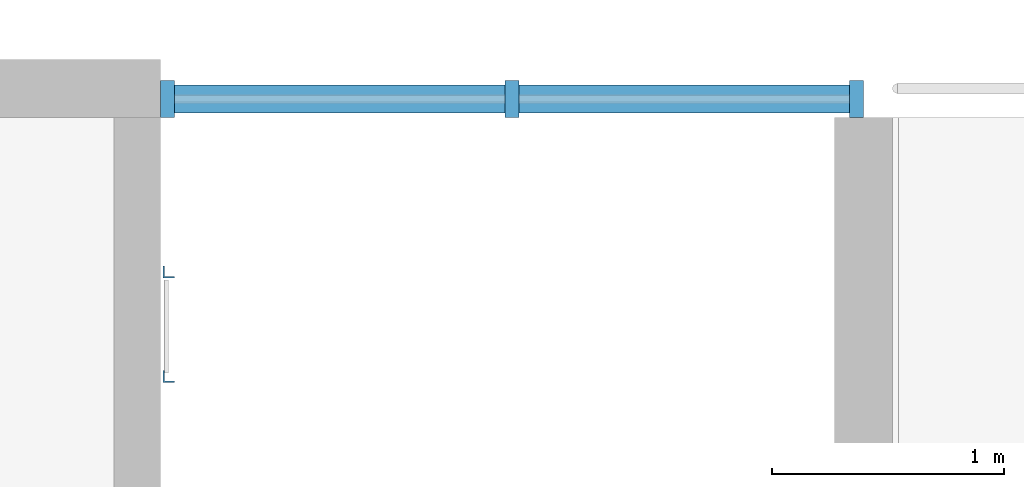
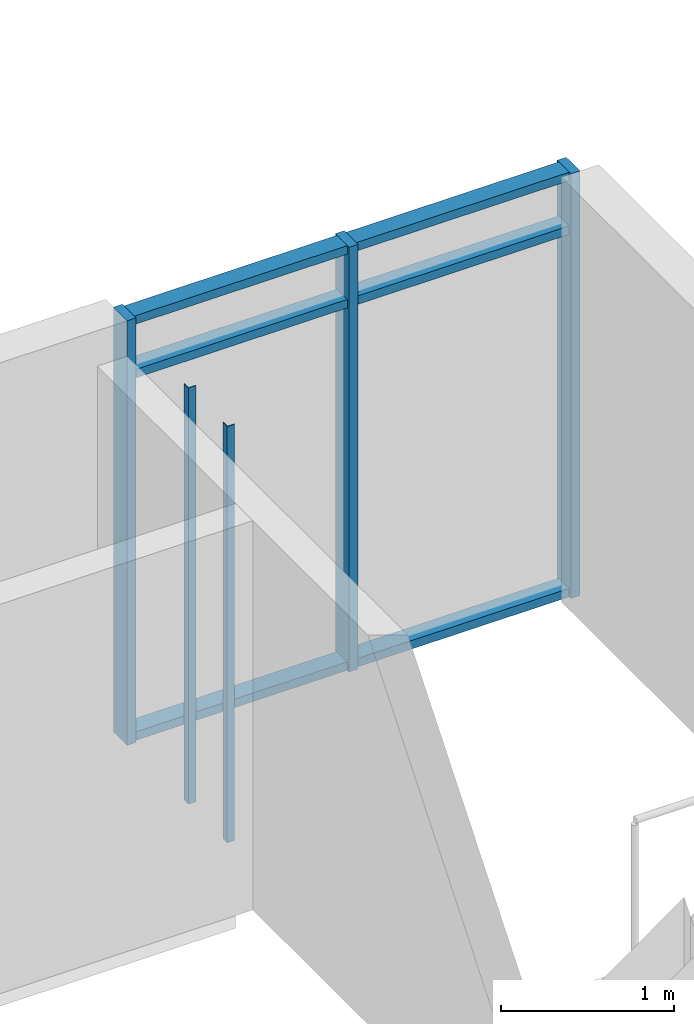
# One storey, part 6 of 41: 11 members, 1 element without a shape of its own.
"""IFC4 building model written with IfcOpenShell, lengths in metres."""

import ifcopenshell
import ifcopenshell.guid

model = None  # the IFC model being written
_history = None  # IfcOwnerHistory: only IFC2X3 demands one
_inside = {}  # id of a spatial element -> (the spatial element, [elements in it])
_under = {}  # id of a project, library or spatial element -> (it, [spatial elements below it])
_declared = {}  # id of a project -> (the project, [libraries it declares])
_typed = {}  # id of a type object -> (the type object, [elements of that type])
_made_of = {}  # id of a material, layer set ... -> (it, [elements and type objects made of it])


def new_model(schema):
    """Start an empty IFC model of exactly this schema.

    Asked for "IFC4X3", IfcOpenShell would pick the latest addendum, in which some entities
    have other attributes; the version numbers below select the first issue.
    IFC2X3 requires an IfcOwnerHistory on every rooted entity: one is made here for all.
    """
    global model, _history
    if schema == "IFC4X3":
        model = ifcopenshell.file(schema_version=(4, 3, 0, 0))
    else:
        model = ifcopenshell.file(schema=schema)
    _inside.clear()
    _under.clear()
    _declared.clear()
    _typed.clear()
    _made_of.clear()
    _history = None
    if model.schema == "IFC2X3":
        org = make("IfcOrganization", Name="unknown")
        user = make(
            "IfcPersonAndOrganization",
            ThePerson=make("IfcPerson", FamilyName="unknown"),
            TheOrganization=org,
        )
        app = make(
            "IfcApplication",
            ApplicationDeveloper=org,
            Version="unknown",
            ApplicationFullName="unknown",
            ApplicationIdentifier="unknown",
        )
        _history = make(
            "IfcOwnerHistory",
            OwningUser=user,
            OwningApplication=app,
            ChangeAction="ADDED",
            CreationDate=0,
        )
    return model


def make(cls, **values):
    """One entity of the class cls with the attributes given. An attribute that is None is left unset."""
    return model.create_entity(
        cls, **{name: value for name, value in values.items() if value is not None}
    )


def rooted(cls, **values):
    """An entity with a GlobalId (a new one), such as an element, a storey or a relation."""
    return make(cls, GlobalId=ifcopenshell.guid.new(), OwnerHistory=_history, **values)


def si_unit(unit_type, name, prefix=None):
    """IfcSIUnit, for example si_unit("LENGTHUNIT", "METRE", prefix="MILLI")."""
    return make("IfcSIUnit", UnitType=unit_type, Prefix=prefix, Name=name)


def assignment(units):
    """IfcUnitAssignment: the units of a project."""
    return None if units is None else make("IfcUnitAssignment", Units=units)


def point(xyz):
    """IfcCartesianPoint."""
    return None if xyz is None else make("IfcCartesianPoint", Coordinates=xyz)


def direction(xyz):
    """IfcDirection."""
    return None if xyz is None else make("IfcDirection", DirectionRatios=xyz)


def frame(location, z_axis=None, x_axis=None):
    """IfcAxis2Placement3D, a coordinate frame: its origin and axes. An axis left out is left unset."""
    return make(
        "IfcAxis2Placement3D",
        Location=point(location),
        Axis=direction(z_axis),
        RefDirection=direction(x_axis),
    )


def frame_2d(location, x_axis=None):
    """IfcAxis2Placement2D, a coordinate frame in the plane: its origin and x axis."""
    return make(
        "IfcAxis2Placement2D", Location=point(location), RefDirection=direction(x_axis)
    )


def origin():
    """The frame at (0, 0, 0) with its axes left unset."""
    return frame((0.0, 0.0, 0.0))


def origin_2d():
    """The frame at (0, 0) in the plane with its x axis left unset."""
    return frame_2d((0.0, 0.0))


def place(relative_to, where):
    """IfcLocalPlacement: puts the frame where relative to a parent placement (None: the world)."""
    return make(
        "IfcLocalPlacement", PlacementRelTo=relative_to, RelativePlacement=where
    )


def context(
    kind, dimensions, precision=None, world=None, true_north=None, identifier=None
):
    """IfcGeometricRepresentationContext, for example the 3D "Model" context."""
    return make(
        "IfcGeometricRepresentationContext",
        ContextIdentifier=identifier,
        ContextType=kind,
        CoordinateSpaceDimension=dimensions,
        Precision=precision,
        WorldCoordinateSystem=world,
        TrueNorth=true_north,
    )


def subcontext(parent, identifier, kind, view, scale=None):
    """IfcGeometricRepresentationSubContext, for example "Body" below "Model"."""
    return make(
        "IfcGeometricRepresentationSubContext",
        ContextIdentifier=identifier,
        ContextType=kind,
        ParentContext=parent,
        TargetScale=scale,
        TargetView=view,
    )


def project(units=None, contexts=None):
    """IfcProject with its units and contexts."""
    return rooted(
        "IfcProject",
        Name="project",
        RepresentationContexts=contexts,
        UnitsInContext=assignment(units),
    )


def spatial(cls, under=None, at=None, **own):
    """A site, building, storey or space (cls), placed at a placement, below another one or the project."""
    s = rooted(cls, ObjectPlacement=at, **own)
    if under is not None:
        _under.setdefault(under.id(), (under, []))[1].append(s)
    return s


def polyline(points):
    """IfcPolyline through the points."""
    return make("IfcPolyline", Points=[point(p) for p in points])


def profile(cls, at=None, kind="AREA", **sizes):
    """A parametric profile (cls). Its sizes go by their IFC names, for example OverallWidth=200.0."""
    return make(cls, ProfileType=kind, Position=at, **sizes)


def rectangle(**sizes):
    """IfcRectangleProfileDef."""
    return profile("IfcRectangleProfileDef", **sizes)


def outline(outer, holes=None, kind="AREA"):
    """IfcArbitraryClosedProfileDef: a profile drawn as a closed curve; with holes, ...WithVoids."""
    if holes is None:
        return make("IfcArbitraryClosedProfileDef", ProfileType=kind, OuterCurve=outer)
    return make(
        "IfcArbitraryProfileDefWithVoids",
        ProfileType=kind,
        OuterCurve=outer,
        InnerCurves=holes,
    )


def extrude(swept, where, along, depth):
    """IfcExtrudedAreaSolid: the profile swept, set in the frame where, extruded along a direction by depth."""
    return make(
        "IfcExtrudedAreaSolid",
        SweptArea=swept,
        Position=where,
        ExtrudedDirection=direction(along),
        Depth=depth,
    )


def shape(context_of_items, identifier, shape_type, items):
    """IfcShapeRepresentation: the items that make up one representation, for example the "Body"."""
    return make(
        "IfcShapeRepresentation",
        ContextOfItems=context_of_items,
        RepresentationIdentifier=identifier,
        RepresentationType=shape_type,
        Items=items,
    )


def material(Name=None, Category=None):
    """IfcMaterial."""
    return make("IfcMaterial", Name=Name, Category=Category)


def material_profile(
    of_material, cross_section, Name=None, Category=None, Priority=None
):
    """IfcMaterialProfile: a cross section and its material."""
    return make(
        "IfcMaterialProfile",
        Name=Name,
        Material=of_material,
        Profile=cross_section,
        Priority=Priority,
        Category=Category,
    )


def profile_set(profiles, Name=None, composite=None):
    """IfcMaterialProfileSet."""
    return make(
        "IfcMaterialProfileSet",
        Name=Name,
        MaterialProfiles=profiles,
        CompositeProfile=composite,
    )


def made_of(thing, what):
    """Note that an element or type object is made of a material, layer set ...; save() writes the relation."""
    if what is not None:
        _made_of.setdefault(what.id(), (what, []))[1].append(thing)
    return thing


def type_object(cls, material=None, **own):
    """A type object (cls), such as IfcWallType, which elements share."""
    return made_of(rooted(cls, **own), material)


def element(
    cls,
    number,
    at=None,
    inside=None,
    cuts=None,
    type_object=None,
    material=None,
    context=None,
    identifier="Body",
    shape_type=None,
    held_by="IfcProductDefinitionShape",
    body=None,
    shapes=None,
    **own,
):
    """One element of the class cls, such as IfcWall. Its Tag is "e" and its number.

    at: its placement. inside: the storey or other place that contains it. cuts: it is an
    opening in that element (IfcRelVoidsElement). A single representation is given by context,
    identifier, shape_type and body (its items); several are given by shapes. held_by: the class
    of the entity that holds the representations. save() writes the other relations.
    """
    e = rooted(cls, Tag="e%d" % number, ObjectPlacement=at, **own)
    if body is not None:
        shapes = [shape(context, identifier, shape_type, body)]
    if shapes is not None:
        e.Representation = make(held_by, Representations=shapes)
    if inside is not None:
        _inside.setdefault(inside.id(), (inside, []))[1].append(e)
    if cuts is not None:
        rooted(
            "IfcRelVoidsElement", RelatingBuildingElement=cuts, RelatedOpeningElement=e
        )
    if type_object is not None:
        _typed.setdefault(type_object.id(), (type_object, []))[1].append(e)
    return made_of(e, material)


def aggregate(whole, parts):
    """IfcRelAggregates: a whole, such as a stair, and the parts it consists of."""
    return rooted("IfcRelAggregates", RelatingObject=whole, RelatedObjects=parts)


def save(model, path):
    """Write the relations noted so far, then the file.

    IfcRelAggregates (storeys below a building ...), IfcRelContainedInSpatialStructure (elements
    in a storey), IfcRelDefinesByType, IfcRelAssociatesMaterial and IfcRelDeclares: one each for
    every whole, place, type object, material and project.
    """
    for whole, parts in _under.values():
        aggregate(whole, parts)
    for where, things in _inside.values():
        rooted(
            "IfcRelContainedInSpatialStructure",
            RelatedElements=things,
            RelatingStructure=where,
        )
    for kind, things in _typed.values():
        rooted("IfcRelDefinesByType", RelatedObjects=things, RelatingType=kind)
    for what, things in _made_of.values():
        rooted("IfcRelAssociatesMaterial", RelatedObjects=things, RelatingMaterial=what)
    for by, libraries in _declared.values():
        rooted("IfcRelDeclares", RelatingContext=by, RelatedDefinitions=libraries)
    model.write(path)


model = new_model("IFC4")

# Units and contexts
model_context = context("Model", 3, precision=1e-05, world=origin(), true_north=direction((0.0, 1.0)))
body_context = subcontext(model_context, "Body", "Model", "MODEL_VIEW")
ifc_project = project(units=[si_unit("LENGTHUNIT", "METRE"), si_unit("AREAUNIT", "SQUARE_METRE"), si_unit("VOLUMEUNIT", "CUBIC_METRE"), si_unit("PLANEANGLEUNIT", "RADIAN"), si_unit("MASSUNIT", "GRAM", prefix="KILO")], contexts=[model_context])

# Site, building, storey
site_placement = place(None, origin())
site = spatial("IfcSite", under=ifc_project, at=site_placement, CompositionType="ELEMENT")
building_placement = place(site_placement, origin())
building = spatial("IfcBuilding", under=site, at=building_placement, Name="Ridgestep Commons", CompositionType="ELEMENT")
storey_placement = place(building_placement, frame((0.0, 0.0, 39.0)))
storey = spatial("IfcBuildingStorey", under=building, at=storey_placement, Name="L13", CompositionType="ELEMENT", Elevation=39.0)

# Members
ifc_material_1 = material(Name="Structural steel S355JR", Category="steel")
ifc_material_profile_1 = material_profile(ifc_material_1, outline(polyline([(-0.014404296875, -0.014404296875), (0.03564453125, -0.014404296875), (0.03564453125, -0.00927734375), (-0.00927734375, -0.00927734375), (-0.00927734375, 0.03564453125), (-0.014404296875, 0.03564453125), (-0.014404296875, -0.014404296875)])), Name="EA 50x50x5")
ifc_profile_set_1 = profile_set([ifc_material_profile_1], Name="Structural steel S355JR")
member_type_1 = type_object("IfcMemberType", Name="Core ladder stile EA 50x50x5", PredefinedType="STRINGER", material=ifc_profile_set_1)
for number, where, z_axis, x_axis, name in (
    (1, (99.0, 21.625, 0.0), (0.0, 0.0, 1.0), (1.0, 0.0, 0.0), "Ladder stile A6C.1"),
    (2, (99.0, 22.074951171875, 0.0), (0.0, 0.0, 1.0), (1.0, 0.0, 0.0), "Ladder stile A6C.2"),
):
    element("IfcMember", number, at=place(storey_placement, frame(where, z_axis=z_axis, x_axis=x_axis)), inside=storey, type_object=member_type_1, Name=name, PredefinedType="STRINGER", context=body_context, shape_type="SweptSolid", body=[
        extrude(outline(polyline([(-0.014404296875, -0.014404296875), (0.03564453125, -0.014404296875), (0.03564453125, -0.00927734375), (-0.00927734375, -0.00927734375), (-0.00927734375, 0.03564453125), (-0.014404296875, 0.03564453125), (-0.014404296875, -0.014404296875)])), origin(), (0.0, 0.0, 1.0), 2.93994140625),
    ])

# Curtain wall, members
ifc_material_2 = material(Name="Aluminium 6063-T6 and glass", Category="aluminium")
curtain_wall_type = type_object("IfcCurtainWallType", Name="Curtain wall stair strip", PredefinedType="NOTDEFINED", material=ifc_material_2)
curtain_wall_placement = place(storey_placement, origin())
curtain_wall = element("IfcCurtainWall", 3, at=curtain_wall_placement, inside=storey, type_object=curtain_wall_type, Name="Curtain wall A6C level 13", PredefinedType="NOTDEFINED")
ifc_material_3 = material(Name="Aluminium 6063-T6", Category="aluminium")
ifc_material_profile_2 = material_profile(ifc_material_3, rectangle(XDim=0.159912109375, YDim=0.06005859375, at=origin_2d()), Name="Mullion 60 x 160")
ifc_profile_set_2 = profile_set([ifc_material_profile_2], Name="Aluminium 6063-T6")
member_type_2 = type_object("IfcMemberType", Name="Mullion 60 x 160", PredefinedType="MULLION", material=ifc_profile_set_2)
member_1_placement = place(storey_placement, frame((99.0048828125, 22.830078125, 0.0), z_axis=(0.0, 0.0, 1.0), x_axis=(0.0, 1.0, 0.0)))
member_1 = element("IfcMember", 4, at=member_1_placement, type_object=member_type_2, Name="CW1 mullion 1", PredefinedType="MULLION", context=body_context, shape_type="SweptSolid", body=[
    extrude(rectangle(XDim=0.159912109375, YDim=0.06005859375, at=origin_2d()), origin(), (0.0, 0.0, 1.0), 3.0),
])
member_2_placement = place(storey_placement, frame((100.487548828125, 22.830078125, 0.0), z_axis=(0.0, 0.0, 1.0), x_axis=(0.0, 1.0, 0.0)))
member_2 = element("IfcMember", 5, at=member_2_placement, type_object=member_type_2, Name="CW1 mullion 2", PredefinedType="MULLION", context=body_context, shape_type="SweptSolid", body=[
    extrude(rectangle(XDim=0.159912109375, YDim=0.06005859375, at=origin_2d()), origin(), (0.0, 0.0, 1.0), 3.0),
])
member_3_placement = place(storey_placement, frame((101.969970703125, 22.830078125, 0.0), z_axis=(0.0, 0.0, 1.0), x_axis=(0.0, 1.0, 0.0)))
member_3 = element("IfcMember", 6, at=member_3_placement, type_object=member_type_2, Name="CW1 mullion 3", PredefinedType="MULLION", context=body_context, shape_type="SweptSolid", body=[
    extrude(rectangle(XDim=0.159912109375, YDim=0.06005859375, at=origin_2d()), origin(), (0.0, 0.0, 1.0), 3.0),
])
ifc_material_4 = material(Name="Aluminium 6063-T6", Category="aluminium")
ifc_material_profile_3 = material_profile(ifc_material_4, rectangle(XDim=0.1201171875, YDim=0.06005859375, at=origin_2d()), Name="Transom 60 x 120")
ifc_profile_set_3 = profile_set([ifc_material_profile_3], Name="Aluminium 6063-T6")
member_type_3 = type_object("IfcMemberType", Name="Transom 60 x 120", PredefinedType="USERDEFINED", material=ifc_profile_set_3)
member_4_placement = place(storey_placement, frame((99.034912109375, 22.830078125, 0.030029296875), z_axis=(1.0, 0.0, 0.0), x_axis=(0.0, 1.0, 0.0)))
member_4 = element("IfcMember", 7, at=member_4_placement, type_object=member_type_3, Name="CW1 transom 1.1", ObjectType="TRANSOM", PredefinedType="USERDEFINED", context=body_context, shape_type="SweptSolid", body=[
    extrude(rectangle(XDim=0.1201171875, YDim=0.06005859375, at=origin_2d()), origin(), (0.0, 0.0, 1.0), 1.422607421875),
])
member_5_placement = place(storey_placement, frame((99.034912109375, 22.830078125, 2.590087890625), z_axis=(1.0, 0.0, 0.0), x_axis=(0.0, 1.0, 0.0)))
member_5 = element("IfcMember", 8, at=member_5_placement, type_object=member_type_3, Name="CW1 transom 1.2", ObjectType="TRANSOM", PredefinedType="USERDEFINED", context=body_context, shape_type="SweptSolid", body=[
    extrude(rectangle(XDim=0.1201171875, YDim=0.06005859375, at=origin_2d()), origin(), (0.0, 0.0, 1.0), 1.422607421875),
])
member_6_placement = place(storey_placement, frame((99.034912109375, 22.830078125, 2.969970703125), z_axis=(1.0, 0.0, 0.0), x_axis=(0.0, 1.0, 0.0)))
member_6 = element("IfcMember", 9, at=member_6_placement, type_object=member_type_3, Name="CW1 transom 1.3", ObjectType="TRANSOM", PredefinedType="USERDEFINED", context=body_context, shape_type="SweptSolid", body=[
    extrude(rectangle(XDim=0.1201171875, YDim=0.06005859375, at=origin_2d()), origin(), (0.0, 0.0, 1.0), 1.422607421875),
])
member_7_placement = place(storey_placement, frame((100.517578125, 22.830078125, 0.030029296875), z_axis=(1.0, 0.0, 0.0), x_axis=(0.0, 1.0, 0.0)))
member_7 = element("IfcMember", 10, at=member_7_placement, type_object=member_type_3, Name="CW1 transom 2.1", ObjectType="TRANSOM", PredefinedType="USERDEFINED", context=body_context, shape_type="SweptSolid", body=[
    extrude(rectangle(XDim=0.1201171875, YDim=0.06005859375, at=origin_2d()), origin(), (0.0, 0.0, 1.0), 1.42236328125),
])
member_8_placement = place(storey_placement, frame((100.517578125, 22.830078125, 2.590087890625), z_axis=(1.0, 0.0, 0.0), x_axis=(0.0, 1.0, 0.0)))
member_8 = element("IfcMember", 11, at=member_8_placement, type_object=member_type_3, Name="CW1 transom 2.2", ObjectType="TRANSOM", PredefinedType="USERDEFINED", context=body_context, shape_type="SweptSolid", body=[
    extrude(rectangle(XDim=0.1201171875, YDim=0.06005859375, at=origin_2d()), origin(), (0.0, 0.0, 1.0), 1.42236328125),
])
member_9_placement = place(storey_placement, frame((100.517578125, 22.830078125, 2.969970703125), z_axis=(1.0, 0.0, 0.0), x_axis=(0.0, 1.0, 0.0)))
member_9 = element("IfcMember", 12, at=member_9_placement, type_object=member_type_3, Name="CW1 transom 2.3", ObjectType="TRANSOM", PredefinedType="USERDEFINED", context=body_context, shape_type="SweptSolid", body=[
    extrude(rectangle(XDim=0.1201171875, YDim=0.06005859375, at=origin_2d()), origin(), (0.0, 0.0, 1.0), 1.42236328125),
])
aggregate(curtain_wall, [member_1, member_2, member_3, member_4, member_5, member_6, member_7, member_8, member_9])

save(model, "model.ifc")
